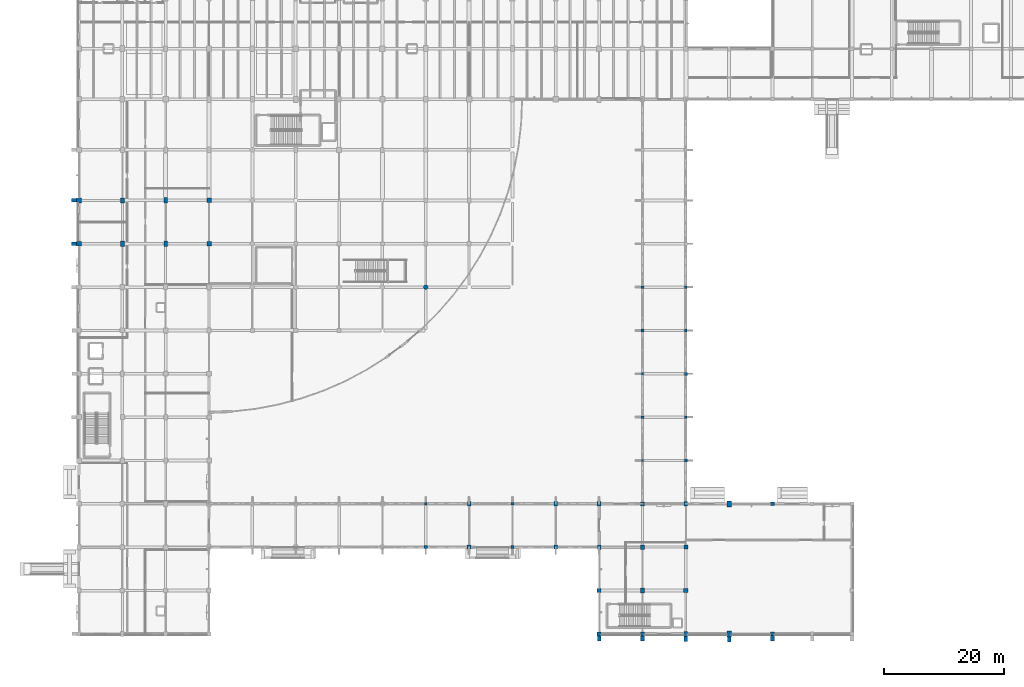
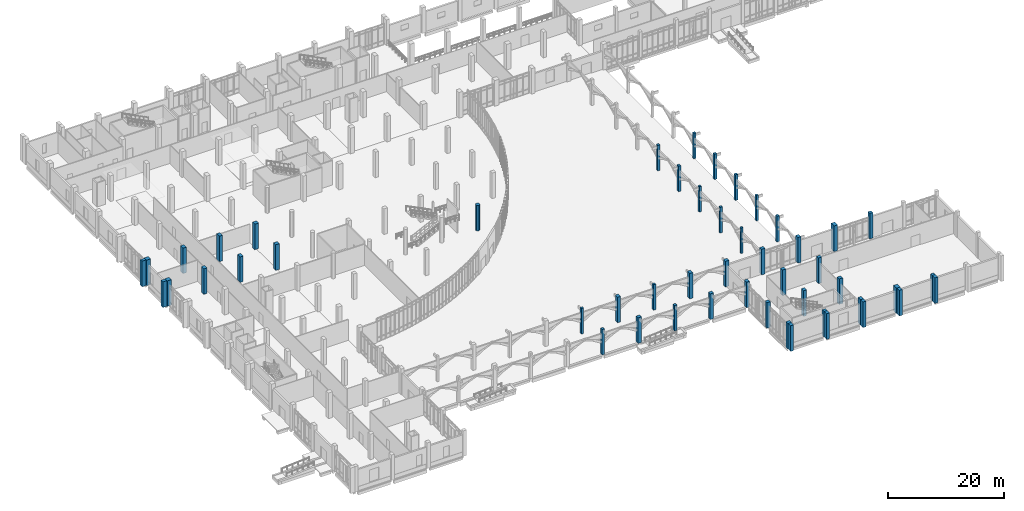
# One storey, part 4 of 110: 50 columns.
"""IFC4 building model written with IfcOpenShell, lengths in metres."""

from ifc_helpers import new_model, si_unit, direction, frame, origin, origin_2d, place, context, subcontext, project, spatial, rectangle, circle, extrude, material, material_profile, profile_set, type_object, element, save


model = new_model("IFC4")

# Units and contexts
model_context = context("Model", 3, precision=1e-05, world=origin(), true_north=direction((0.0, 1.0)))
body_context = subcontext(model_context, "Body", "Model", "MODEL_VIEW")
ifc_project = project(units=[si_unit("LENGTHUNIT", "METRE"), si_unit("AREAUNIT", "SQUARE_METRE"), si_unit("VOLUMEUNIT", "CUBIC_METRE"), si_unit("PLANEANGLEUNIT", "RADIAN"), si_unit("MASSUNIT", "GRAM", prefix="KILO")], contexts=[model_context])

# Site, building, storey
site_placement = place(None, origin())
site = spatial("IfcSite", under=ifc_project, at=site_placement, CompositionType="ELEMENT")
building_placement = place(site_placement, origin())
building = spatial("IfcBuilding", under=site, at=building_placement, Name="Kalluvel Institute of Natural Sciences", CompositionType="ELEMENT")
storey_placement = place(building_placement, origin())
storey = spatial("IfcBuildingStorey", under=building, at=storey_placement, Name="L00", CompositionType="ELEMENT", Elevation=0.0)

# Columns
ifc_material_1 = material(Name="Concrete M40", Category="concrete")
ifc_material_profile_1 = material_profile(ifc_material_1, rectangle(XDim=0.39990234375, YDim=0.39990234375, at=origin_2d()), Name="RC 400x400")
ifc_profile_set_1 = profile_set([ifc_material_profile_1], Name="Concrete M40")
column_type_1 = type_object("IfcColumnType", Name="COL-RC400", PredefinedType="COLUMN", material=ifc_profile_set_1)
for number, where, z_axis, x_axis, name in (
    (1, (107.60009765625, 42.800048828125, 0.0), (0.0, 0.0, 1.0), (1.0, 0.0, 0.0), "L00 structural column COL-L00-X1076-Y428"),
    (2, (107.60009765625, 57.199951171875, 0.0), (0.0, 0.0, 1.0), (1.0, 0.0, 0.0), "L00 structural column COL-L00-X1076-Y572"),
    (3, (114.800048828125, 50.0, 0.0), (0.0, 0.0, 1.0), (1.0, 0.0, 0.0), "L00 structural column COL-L00-X1148-Y500"),
    (4, (114.800048828125, 71.60009765625, 0.0), (0.0, 0.0, 1.0), (1.0, 0.0, 0.0), "L00 structural column COL-L00-X1148-Y716"),
):
    element("IfcColumn", number, at=place(storey_placement, frame(where, z_axis=z_axis, x_axis=x_axis)), inside=storey, type_object=column_type_1, Name=name, PredefinedType="COLUMN", context=body_context, shape_type="SweptSolid", body=[
        extrude(rectangle(XDim=0.39990234375, YDim=0.39990234375, at=origin_2d()), origin(), (0.0, 0.0, 1.0), 5.39990234375),
    ])
ifc_material_profile_2 = material_profile(ifc_material_1, rectangle(XDim=0.449951171875, YDim=0.449951171875, at=origin_2d()), Name="RC 450x450")
ifc_profile_set_2 = profile_set([ifc_material_profile_2], Name="Concrete M40")
column_type_2 = type_object("IfcColumnType", Name="COL-RC450", PredefinedType="COLUMN", material=ifc_profile_set_2)
for number, where, z_axis, x_axis, name in (
    (5, (71.60009765625, 35.60009765625, 0.0), (0.0, 0.0, 1.0), (1.0, 0.0, 0.0), "L00 structural column COL-L00-X716-Y356"),
    (6, (86.0, 35.60009765625, 0.0), (0.0, 0.0, 1.0), (1.0, 0.0, 0.0), "L00 structural column COL-L00-X860-Y356"),
    (7, (107.60009765625, 50.0, 0.0), (0.0, 0.0, 1.0), (1.0, 0.0, 0.0), "L00 structural column COL-L00-X1076-Y500"),
    (8, (107.60009765625, 71.60009765625, 0.0), (0.0, 0.0, 1.0), (1.0, 0.0, 0.0), "L00 structural column COL-L00-X1076-Y716"),
    (9, (114.800048828125, 64.39990234375, 0.0), (0.0, 0.0, 1.0), (1.0, 0.0, 0.0), "L00 structural column COL-L00-X1148-Y644"),
):
    element("IfcColumn", number, at=place(storey_placement, frame(where, z_axis=z_axis, x_axis=x_axis)), inside=storey, type_object=column_type_2, Name=name, PredefinedType="COLUMN", context=body_context, shape_type="SweptSolid", body=[
        extrude(rectangle(XDim=0.449951171875, YDim=0.449951171875, at=origin_2d()), origin(), (0.0, 0.0, 1.0), 5.39990234375),
    ])
ifc_material_profile_3 = material_profile(ifc_material_1, rectangle(XDim=0.5, YDim=0.5, at=origin_2d()), Name="RC 500x500")
ifc_profile_set_3 = profile_set([ifc_material_profile_3], Name="Concrete M40")
column_type_3 = type_object("IfcColumnType", Name="COL-RC500", PredefinedType="COLUMN", material=ifc_profile_set_3)
for number, where, z_axis, x_axis, name in (
    (10, (71.60009765625, 28.39990234375, 0.0), (0.0, 0.0, 1.0), (1.0, 0.0, 0.0), "L00 structural column COL-L00-X716-Y284"),
    (11, (86.0, 28.39990234375, 0.0), (0.0, 0.0, 1.0), (1.0, 0.0, 0.0), "L00 structural column COL-L00-X860-Y284"),
    (12, (107.60009765625, 64.39990234375, 0.0), (0.0, 0.0, 1.0), (1.0, 0.0, 0.0), "L00 structural column COL-L00-X1076-Y644"),
    (13, (114.800048828125, 42.800048828125, 0.0), (0.0, 0.0, 1.0), (1.0, 0.0, 0.0), "L00 structural column COL-L00-X1148-Y428"),
    (14, (114.800048828125, 57.199951171875, 0.0), (0.0, 0.0, 1.0), (1.0, 0.0, 0.0), "L00 structural column COL-L00-X1148-Y572"),
):
    element("IfcColumn", number, at=place(storey_placement, frame(where, z_axis=z_axis, x_axis=x_axis)), inside=storey, type_object=column_type_3, Name=name, PredefinedType="COLUMN", context=body_context, shape_type="SweptSolid", body=[
        extrude(rectangle(XDim=0.5, YDim=0.5, at=origin_2d()), origin(), (0.0, 0.0, 1.0), 5.39990234375),
    ])
ifc_material_profile_4 = material_profile(ifc_material_1, rectangle(XDim=0.60009765625, YDim=0.60009765625, at=origin_2d()), Name="RC 600x600")
ifc_profile_set_4 = profile_set([ifc_material_profile_4], Name="Concrete M40")
column_type_4 = type_object("IfcColumnType", Name="COL-RC600", PredefinedType="COLUMN", material=ifc_profile_set_4)
for number, where, z_axis, x_axis, name in (
    (15, (129.199951171875, 14.0, 0.0), (0.0, 0.0, 1.0), (1.0, 0.0, 0.0), "L00 structural column COL-L00-X1292-Y140"),
    (16, (129.199951171875, 35.60009765625, 0.0), (0.0, 0.0, 1.0), (1.0, 0.0, 0.0), "L00 structural column COL-L00-X1292-Y356"),
):
    element("IfcColumn", number, at=place(storey_placement, frame(where, z_axis=z_axis, x_axis=x_axis)), inside=storey, type_object=column_type_4, Name=name, PredefinedType="COLUMN", context=body_context, shape_type="SweptSolid", body=[
        extrude(rectangle(XDim=0.60009765625, YDim=0.60009765625, at=origin_2d()), origin(), (0.0, 0.0, 1.0), 5.39990234375),
    ])
ifc_material_2 = material(Name="Concrete M50", Category="concrete")
ifc_material_profile_5 = material_profile(ifc_material_2, rectangle(XDim=0.60009765625, YDim=0.800048828125, at=origin_2d()), Name="RC 600x800")
ifc_profile_set_5 = profile_set([ifc_material_profile_5], Name="Concrete M50")
column_type_5 = type_object("IfcColumnType", Name="COL-RC600x800", PredefinedType="COLUMN", material=ifc_profile_set_5)
for number, where, z_axis, x_axis, name in (
    (17, (78.800048828125, 35.60009765625, 0.0), (0.0, 0.0, 1.0), (1.0, 0.0, 0.0), "L00 structural column COL-L00-X788-Y356"),
    (18, (93.199951171875, 35.60009765625, 0.0), (0.0, 0.0, 1.0), (1.0, 0.0, 0.0), "L00 structural column COL-L00-X932-Y356"),
    (19, (100.39990234375, 28.39990234375, 0.0), (0.0, 0.0, 1.0), (1.0, 0.0, 0.0), "L00 structural column COL-L00-X1004-Y284"),
    (20, (107.60009765625, 21.199951171875, 0.0), (0.0, 0.0, 1.0), (1.0, 0.0, 0.0), "L00 structural column COL-L00-X1076-Y212"),
    (21, (114.800048828125, 14.0, 0.0), (0.0, 0.0, 1.0), (1.0, 0.0, 0.0), "L00 structural column COL-L00-X1148-Y140"),
    (22, (114.800048828125, 35.60009765625, 0.0), (0.0, 0.0, 1.0), (1.0, 0.0, 0.0), "L00 structural column COL-L00-X1148-Y356"),
):
    element("IfcColumn", number, at=place(storey_placement, frame(where, z_axis=z_axis, x_axis=x_axis)), inside=storey, type_object=column_type_5, Name=name, PredefinedType="COLUMN", context=body_context, shape_type="SweptSolid", body=[
        extrude(rectangle(XDim=0.60009765625, YDim=0.800048828125, at=origin_2d()), origin(), (0.0, 0.0, 1.0), 5.39990234375),
    ])
ifc_material_profile_6 = material_profile(ifc_material_2, rectangle(XDim=0.60009765625, YDim=0.89990234375, at=origin_2d()), Name="RC 600x900")
ifc_profile_set_6 = profile_set([ifc_material_profile_6], Name="Concrete M50")
column_type_6 = type_object("IfcColumnType", Name="COL-RC600x900", PredefinedType="COLUMN", material=ifc_profile_set_6)
for number, where, z_axis, x_axis, name in (
    (23, (28.39990234375, 78.800048828125, 0.0), (0.0, 0.0, 1.0), (1.0, 0.0, 0.0), "L00 structural column COL-L00-X284-Y788"),
    (24, (28.39990234375, 86.0, 0.0), (0.0, 0.0, 1.0), (1.0, 0.0, 0.0), "L00 structural column COL-L00-X284-Y860"),
):
    element("IfcColumn", number, at=place(storey_placement, frame(where, z_axis=z_axis, x_axis=x_axis)), inside=storey, type_object=column_type_6, Name=name, PredefinedType="COLUMN", context=body_context, shape_type="SweptSolid", body=[
        extrude(rectangle(XDim=0.60009765625, YDim=0.89990234375, at=origin_2d()), origin(), (0.0, 0.0, 1.0), 5.39990234375),
    ])
ifc_material_profile_7 = material_profile(ifc_material_1, rectangle(XDim=0.64990234375, YDim=0.64990234375, at=origin_2d()), Name="RC 650x650")
ifc_profile_set_7 = profile_set([ifc_material_profile_7], Name="Concrete M40")
column_type_7 = type_object("IfcColumnType", Name="COL-RC650", PredefinedType="COLUMN", material=ifc_profile_set_7)
for number, where, z_axis, x_axis, name in (
    (25, (78.800048828125, 28.39990234375, 0.0), (0.0, 0.0, 1.0), (1.0, 0.0, 0.0), "L00 structural column COL-L00-X788-Y284"),
    (26, (93.199951171875, 28.39990234375, 0.0), (0.0, 0.0, 1.0), (1.0, 0.0, 0.0), "L00 structural column COL-L00-X932-Y284"),
    (27, (100.39990234375, 21.199951171875, 0.0), (0.0, 0.0, 1.0), (1.0, 0.0, 0.0), "L00 structural column COL-L00-X1004-Y212"),
    (28, (107.60009765625, 14.0, 0.0), (0.0, 0.0, 1.0), (1.0, 0.0, 0.0), "L00 structural column COL-L00-X1076-Y140"),
    (29, (107.60009765625, 35.60009765625, 0.0), (0.0, 0.0, 1.0), (1.0, 0.0, 0.0), "L00 structural column COL-L00-X1076-Y356"),
    (30, (114.800048828125, 28.39990234375, 0.0), (0.0, 0.0, 1.0), (1.0, 0.0, 0.0), "L00 structural column COL-L00-X1148-Y284"),
):
    element("IfcColumn", number, at=place(storey_placement, frame(where, z_axis=z_axis, x_axis=x_axis)), inside=storey, type_object=column_type_7, Name=name, PredefinedType="COLUMN", context=body_context, shape_type="SweptSolid", body=[
        extrude(rectangle(XDim=0.64990234375, YDim=0.64990234375, at=origin_2d()), origin(), (0.0, 0.0, 1.0), 5.39990234375),
    ])
ifc_material_profile_8 = material_profile(ifc_material_2, rectangle(XDim=0.64990234375, YDim=0.85009765625, at=origin_2d()), Name="RC 650x850")
ifc_profile_set_8 = profile_set([ifc_material_profile_8], Name="Concrete M50")
column_type_8 = type_object("IfcColumnType", Name="COL-RC650x850", PredefinedType="COLUMN", material=ifc_profile_set_8)
for number, where, z_axis, x_axis, name in (
    (31, (21.199951171875, 78.800048828125, 0.0), (0.0, 0.0, 1.0), (1.0, 0.0, 0.0), "L00 structural column COL-L00-X212-Y788"),
    (32, (21.199951171875, 86.0, 0.0), (0.0, 0.0, 1.0), (1.0, 0.0, 0.0), "L00 structural column COL-L00-X212-Y860"),
):
    element("IfcColumn", number, at=place(storey_placement, frame(where, z_axis=z_axis, x_axis=x_axis)), inside=storey, type_object=column_type_8, Name=name, PredefinedType="COLUMN", context=body_context, shape_type="SweptSolid", body=[
        extrude(rectangle(XDim=0.64990234375, YDim=0.85009765625, at=origin_2d()), origin(), (0.0, 0.0, 1.0), 5.39990234375),
    ])
ifc_material_profile_9 = material_profile(ifc_material_1, rectangle(XDim=0.699951171875, YDim=0.699951171875, at=origin_2d()), Name="RC 700x700")
ifc_profile_set_9 = profile_set([ifc_material_profile_9], Name="Concrete M40")
column_type_9 = type_object("IfcColumnType", Name="COL-RC700", PredefinedType="COLUMN", material=ifc_profile_set_9)
for number, where, z_axis, x_axis, name in (
    (33, (100.39990234375, 14.0, 0.0), (0.0, 0.0, 1.0), (1.0, 0.0, 0.0), "L00 structural column COL-L00-X1004-Y140"),
    (34, (100.39990234375, 35.60009765625, 0.0), (0.0, 0.0, 1.0), (1.0, 0.0, 0.0), "L00 structural column COL-L00-X1004-Y356"),
    (35, (107.60009765625, 28.39990234375, 0.0), (0.0, 0.0, 1.0), (1.0, 0.0, 0.0), "L00 structural column COL-L00-X1076-Y284"),
    (36, (114.800048828125, 21.199951171875, 0.0), (0.0, 0.0, 1.0), (1.0, 0.0, 0.0), "L00 structural column COL-L00-X1148-Y212"),
):
    element("IfcColumn", number, at=place(storey_placement, frame(where, z_axis=z_axis, x_axis=x_axis)), inside=storey, type_object=column_type_9, Name=name, PredefinedType="COLUMN", context=body_context, shape_type="SweptSolid", body=[
        extrude(rectangle(XDim=0.699951171875, YDim=0.699951171875, at=origin_2d()), origin(), (0.0, 0.0, 1.0), 5.39990234375),
    ])
ifc_material_profile_10 = material_profile(ifc_material_2, rectangle(XDim=0.699951171875, YDim=1.0, at=origin_2d()), Name="RC 700x1000")
ifc_profile_set_10 = profile_set([ifc_material_profile_10], Name="Concrete M50")
column_type_10 = type_object("IfcColumnType", Name="COL-RC700x1000", PredefinedType="COLUMN", material=ifc_profile_set_10)
for number, where, z_axis, x_axis, name in (
    (37, (122.0, 14.0, 0.0), (0.0, 0.0, 1.0), (1.0, 0.0, 0.0), "L00 structural column COL-L00-X1220-Y140"),
    (38, (122.0, 35.60009765625, 0.0), (0.0, 0.0, 1.0), (1.0, 0.0, 0.0), "L00 structural column COL-L00-X1220-Y356"),
):
    element("IfcColumn", number, at=place(storey_placement, frame(where, z_axis=z_axis, x_axis=x_axis)), inside=storey, type_object=column_type_10, Name=name, PredefinedType="COLUMN", context=body_context, shape_type="SweptSolid", body=[
        extrude(rectangle(XDim=0.699951171875, YDim=1.0, at=origin_2d()), origin(), (0.0, 0.0, 1.0), 5.39990234375),
    ])
ifc_material_profile_11 = material_profile(ifc_material_2, rectangle(XDim=0.75, YDim=0.75, at=origin_2d()), Name="RC 750x750")
ifc_profile_set_11 = profile_set([ifc_material_profile_11], Name="Concrete M50")
column_type_11 = type_object("IfcColumnType", Name="COL-RC750", PredefinedType="COLUMN", material=ifc_profile_set_11)
for number, where, z_axis, x_axis, name in (
    (39, (35.60009765625, 78.800048828125, 0.0), (0.0, 0.0, 1.0), (1.0, 0.0, 0.0), "L00 structural column COL-L00-X356-Y788"),
    (40, (35.60009765625, 86.0, 0.0), (0.0, 0.0, 1.0), (1.0, 0.0, 0.0), "L00 structural column COL-L00-X356-Y860"),
):
    element("IfcColumn", number, at=place(storey_placement, frame(where, z_axis=z_axis, x_axis=x_axis)), inside=storey, type_object=column_type_11, Name=name, PredefinedType="COLUMN", context=body_context, shape_type="SweptSolid", body=[
        extrude(rectangle(XDim=0.75, YDim=0.75, at=origin_2d()), origin(), (0.0, 0.0, 1.0), 5.39990234375),
    ])
ifc_material_profile_12 = material_profile(ifc_material_2, rectangle(XDim=0.800048828125, YDim=0.800048828125, at=origin_2d()), Name="RC 800x800")
ifc_profile_set_12 = profile_set([ifc_material_profile_12], Name="Concrete M50")
column_type_12 = type_object("IfcColumnType", Name="COL-RC800", PredefinedType="COLUMN", material=ifc_profile_set_12)
for number, where, z_axis, x_axis, name in (
    (41, (14.0, 78.800048828125, 0.0), (0.0, 0.0, 1.0), (1.0, 0.0, 0.0), "L00 structural column COL-L00-X140-Y788"),
    (42, (14.0, 86.0, 0.0), (0.0, 0.0, 1.0), (1.0, 0.0, 0.0), "L00 structural column COL-L00-X140-Y860"),
):
    element("IfcColumn", number, at=place(storey_placement, frame(where, z_axis=z_axis, x_axis=x_axis)), inside=storey, type_object=column_type_12, Name=name, PredefinedType="COLUMN", context=body_context, shape_type="SweptSolid", body=[
        extrude(rectangle(XDim=0.800048828125, YDim=0.800048828125, at=origin_2d()), origin(), (0.0, 0.0, 1.0), 5.39990234375),
    ])
ifc_material_profile_13 = material_profile(ifc_material_2, circle(Radius=0.375, at=origin_2d()), Name="RCCOL D750")
ifc_profile_set_13 = profile_set([ifc_material_profile_13], Name="Concrete M50")
column_type_13 = type_object("IfcColumnType", Name="COL-RCD750", PredefinedType="COLUMN", material=ifc_profile_set_13)
column_placement = place(storey_placement, frame((71.60009765625, 71.60009765625, 0.0), z_axis=(0.0, 0.0, 1.0), x_axis=(1.0, 0.0, 0.0)))
element("IfcColumn", 43, at=column_placement, inside=storey, type_object=column_type_13, Name="L00 structural column COL-L00-X716-Y716", PredefinedType="COLUMN", context=body_context, shape_type="SweptSolid", body=[
    extrude(circle(Radius=0.375, at=origin_2d()), origin(), (0.0, 0.0, 1.0), 5.39990234375),
])
ifc_material_3 = material(Name="Sadarahalli Granite Precast Concrete M45", Category="masonry")
ifc_material_profile_14 = material_profile(ifc_material_3, rectangle(XDim=0.60009765625, YDim=0.85009765625, at=origin_2d()), Name="PIL 600x850")
ifc_profile_set_14 = profile_set([ifc_material_profile_14], Name="Sadarahalli Granite Precast Concrete M45")
column_type_14 = type_object("IfcColumnType", Name="PIL-600x850", PredefinedType="PILASTER", material=ifc_profile_set_14)
for number, where, z_axis, x_axis, name in (
    (44, (13.172119140625, 78.800048828125, 0.0), (0.0, 0.0, 1.0), (0.0, 1.0, 0.0), "L00 Gothic stepped Sadarahalli granite buttress 110"),
    (45, (13.172119140625, 86.0, 0.0), (0.0, 0.0, 1.0), (0.0, 1.0, 0.0), "L00 Gothic stepped Sadarahalli granite buttress 118"),
    (46, (100.39990234375, 13.221923828125, 0.0), (0.0, 0.0, 1.0), (1.0, 0.0, 0.0), "L00 Lecture and Commons Gothic stone buttress 134"),
    (47, (107.60009765625, 13.2470703125, 0.0), (0.0, 0.0, 1.0), (1.0, 0.0, 0.0), "L00 Lecture and Commons Gothic stone buttress 139"),
    (48, (114.800048828125, 13.172119140625, 0.0), (0.0, 0.0, 1.0), (1.0, 0.0, 0.0), "L00 Lecture and Commons Gothic stone buttress 144"),
    (49, (122.0, 13.072021484375, 0.0), (0.0, 0.0, 1.0), (1.0, 0.0, 0.0), "L00 Lecture and Commons Gothic stone buttress 149"),
    (50, (129.199951171875, 13.27197265625, 0.0), (0.0, 0.0, 1.0), (1.0, 0.0, 0.0), "L00 Lecture and Commons Gothic stone buttress 152"),
):
    element("IfcColumn", number, at=place(storey_placement, frame(where, z_axis=z_axis, x_axis=x_axis)), inside=storey, type_object=column_type_14, Name=name, PredefinedType="PILASTER", context=body_context, shape_type="SweptSolid", body=[
        extrude(rectangle(XDim=0.60009765625, YDim=0.85009765625, at=origin_2d()), origin(), (0.0, 0.0, 1.0), 5.39990234375),
    ])

save(model, "model.ifc")
